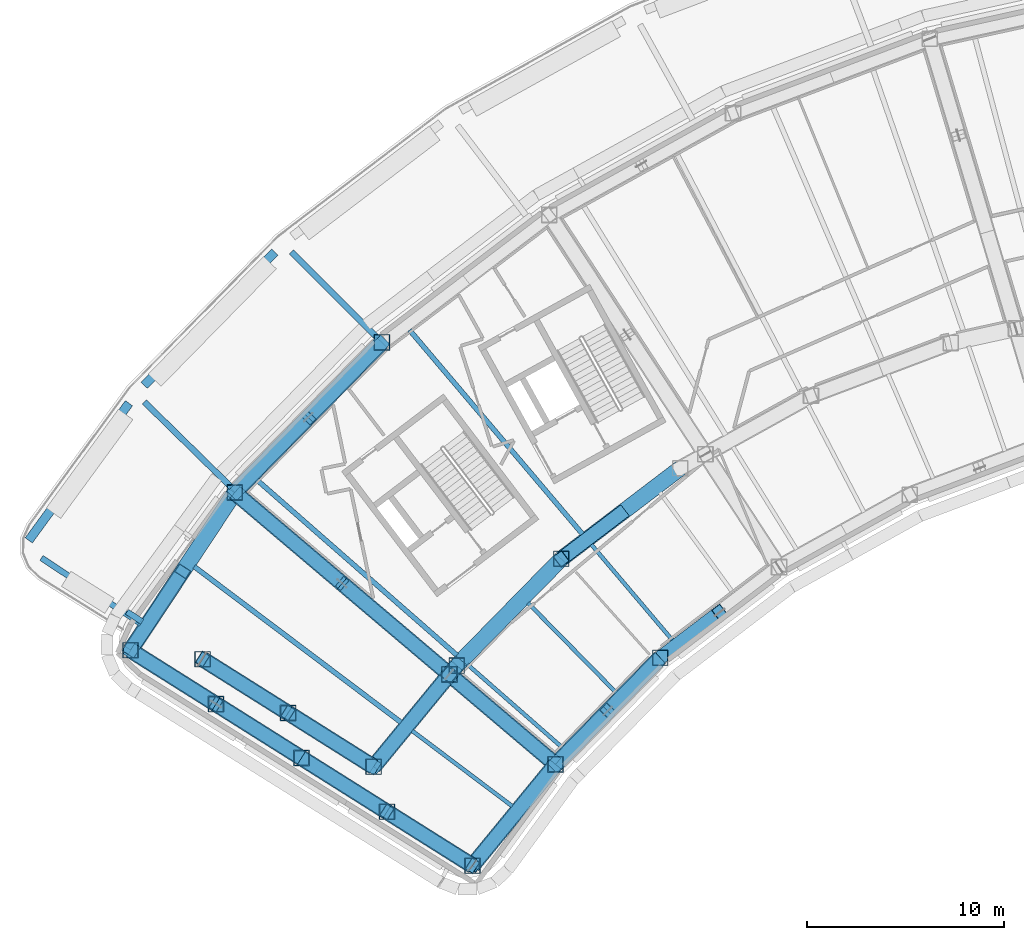
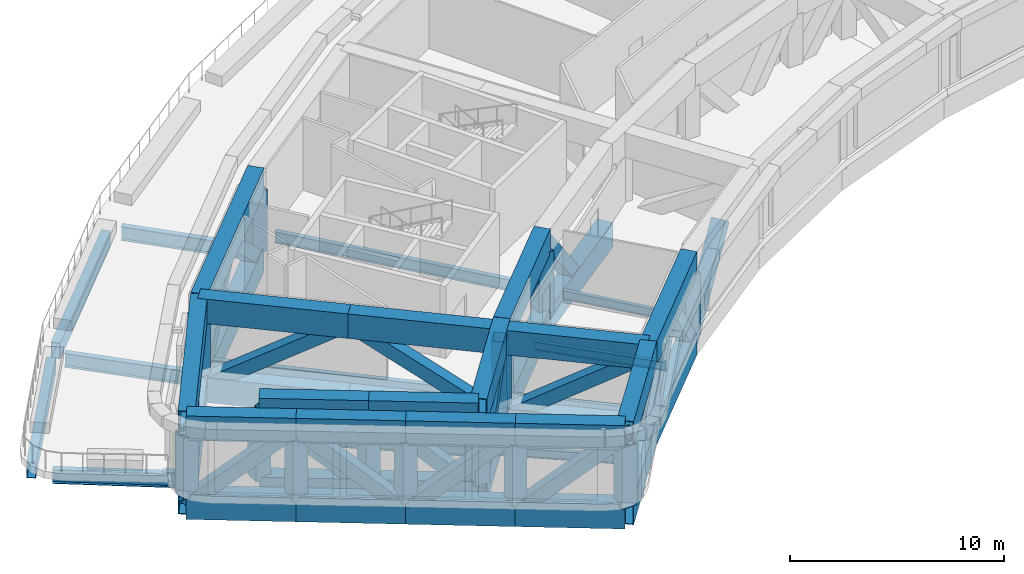
# One storey, part 1 of 24: 44 beams, 34 members.
"""IFC4 building model written with IfcOpenShell, lengths in metres."""

from ifc_helpers import new_model, si_unit, direction, frame, origin, origin_2d, place, context, subcontext, project, spatial, hollow_rectangle, i_section, extrude, material, material_profile, profile_set, type_object, element, save


model = new_model("IFC4")

# Units and contexts
model_context = context("Model", 3, precision=1e-05, world=origin(), true_north=direction((0.0, 1.0)))
body_context = subcontext(model_context, "Body", "Model", "MODEL_VIEW")
ifc_project = project(units=[si_unit("LENGTHUNIT", "METRE"), si_unit("AREAUNIT", "SQUARE_METRE"), si_unit("VOLUMEUNIT", "CUBIC_METRE"), si_unit("PLANEANGLEUNIT", "RADIAN"), si_unit("MASSUNIT", "GRAM", prefix="KILO")], contexts=[model_context])

# Site, building, storey
site_placement = place(None, origin())
site = spatial("IfcSite", under=ifc_project, at=site_placement, CompositionType="ELEMENT")
building_placement = place(site_placement, origin())
building = spatial("IfcBuilding", under=site, at=building_placement, Name="Tuul Gate Civic Tower", CompositionType="ELEMENT")
storey_placement = place(building_placement, frame((0.0, 0.0, 94.800048828125)))
storey = spatial("IfcBuildingStorey", under=building, at=storey_placement, Name="Plant and refuge floor 3", CompositionType="ELEMENT", Elevation=94.800048828125)

# Beams
ifc_material_1 = material(Name="Steel S355", Category="steel")
ifc_material_profile_1 = material_profile(ifc_material_1, i_section(OverallWidth=0.199951171875, OverallDepth=0.5, WebThickness=0.010009765625, FlangeThickness=0.01611328125, at=origin_2d()), Name="PG500x200x10x16")
ifc_profile_set_1 = profile_set([ifc_material_profile_1], Name="Steel S355")
beam_type_1 = type_object("IfcBeamType", Name="STR-FLOOR BEAM-PG500x200x10x16", PredefinedType="BEAM", material=ifc_profile_set_1)
beam_1_placement = place(storey_placement, frame((-24.3291015625, -19.913330078125, -0.650146484375), z_axis=(-0.646588881075, 0.762838658479, 0.0), x_axis=(-0.762838658479, -0.646588881075, 0.0)))
element("IfcBeam", 1, at=beam_1_placement, inside=storey, type_object=beam_type_1, Name="Floor beam", PredefinedType="BEAM", context=body_context, shape_type="SweptSolid", body=[
    extrude(i_section(OverallWidth=0.199951171875, OverallDepth=0.5, WebThickness=0.010009765625, FlangeThickness=0.01611328125, at=origin_2d()), origin(), (0.0, 0.0, 1.0), 6.344482421875),
])
beam_2_placement = place(storey_placement, frame((-27.1708984375, -22.5947265625, -0.650146484375), z_axis=(-0.701227534582, 0.712937546174, 0.0), x_axis=(-0.712937546174, -0.701227534582, 0.0)))
element("IfcBeam", 2, at=beam_2_placement, inside=storey, type_object=beam_type_1, Name="Floor beam", PredefinedType="BEAM", context=body_context, shape_type="SweptSolid", body=[
    extrude(i_section(OverallWidth=0.199951171875, OverallDepth=0.5, WebThickness=0.010009765625, FlangeThickness=0.01611328125, at=origin_2d()), origin(), (0.0, 0.0, 1.0), 6.400634765625),
])
beam_3_placement = place(storey_placement, frame((-29.90625, -25.38525390625, -0.650146484375), z_axis=(-0.752029031841, 0.659129983591, 0.0), x_axis=(-0.659129983591, -0.752029031841, 0.0)))
element("IfcBeam", 3, at=beam_3_placement, inside=storey, type_object=beam_type_1, Name="Floor beam", PredefinedType="BEAM", context=body_context, shape_type="SweptSolid", body=[
    extrude(i_section(OverallWidth=0.199951171875, OverallDepth=0.5, WebThickness=0.010009765625, FlangeThickness=0.01611328125, at=origin_2d()), origin(), (0.0, 0.0, 1.0), 6.40966796875),
])
beam_4_placement = place(storey_placement, frame((-32.447998046875, -28.362060546875, -0.650146484375), z_axis=(-0.798710656807, 0.601715287077, 0.0), x_axis=(-0.601715287077, -0.798710656807, 0.0)))
element("IfcBeam", 4, at=beam_4_placement, inside=storey, type_object=beam_type_1, Name="Floor beam", PredefinedType="BEAM", context=body_context, shape_type="SweptSolid", body=[
    extrude(i_section(OverallWidth=0.199951171875, OverallDepth=0.5, WebThickness=0.010009765625, FlangeThickness=0.01611328125, at=origin_2d()), origin(), (0.0, 0.0, 1.0), 6.371337890625),
])
ifc_material_2 = material(Name="Steel S355", Category="steel")
ifc_material_profile_2 = material_profile(ifc_material_2, i_section(OverallWidth=0.25, OverallDepth=0.64990234375, WebThickness=0.011962890625, FlangeThickness=0.02001953125, at=origin_2d()), Name="PG650x250x12x20")
ifc_profile_set_2 = profile_set([ifc_material_profile_2], Name="Steel S355")
beam_type_2 = type_object("IfcBeamType", Name="STR-FLOOR BEAM-PG650x250x12x20", PredefinedType="BEAM", material=ifc_profile_set_2)
beam_5_placement = place(storey_placement, frame((-28.884521484375, -14.538818359375, -0.72509765625), z_axis=(-0.6465881799, 0.762839252801, 0.0), x_axis=(-0.762839252801, -0.6465881799, 0.0)))
element("IfcBeam", 5, at=beam_5_placement, inside=storey, type_object=beam_type_2, Name="Floor beam", PredefinedType="BEAM", context=body_context, shape_type="SweptSolid", body=[
    extrude(i_section(OverallWidth=0.25, OverallDepth=0.64990234375, WebThickness=0.011962890625, FlangeThickness=0.02001953125, at=origin_2d()), origin(), (0.0, 0.0, 1.0), 13.58349609375),
])
beam_6_placement = place(storey_placement, frame((-35.253662109375, -20.698486328125, -0.72509765625), z_axis=(-0.752027259917, 0.659132005247, 0.0), x_axis=(-0.659132005247, -0.752027259917, 0.0)))
element("IfcBeam", 6, at=beam_6_placement, inside=storey, type_object=beam_type_2, Name="Floor beam", PredefinedType="BEAM", context=body_context, shape_type="SweptSolid", body=[
    extrude(i_section(OverallWidth=0.25, OverallDepth=0.64990234375, WebThickness=0.011962890625, FlangeThickness=0.02001953125, at=origin_2d()), origin(), (0.0, 0.0, 1.0), 13.521728515625),
])
beam_7_placement = place(storey_placement, frame((-38.096435546875, -24.106689453125, -0.72509765625), z_axis=(-0.798711555824, 0.60171409373, 0.0), x_axis=(-0.60171409373, -0.798711555824, 0.0)))
element("IfcBeam", 7, at=beam_7_placement, inside=storey, type_object=beam_type_2, Name="Floor beam", PredefinedType="BEAM", context=body_context, shape_type="SweptSolid", body=[
    extrude(i_section(OverallWidth=0.25, OverallDepth=0.64990234375, WebThickness=0.011962890625, FlangeThickness=0.02001953125, at=origin_2d()), origin(), (0.0, 0.0, 1.0), 13.161376953125),
])
ifc_material_3 = material(Name="Steel S355", Category="steel")
ifc_material_profile_3 = material_profile(ifc_material_3, i_section(OverallWidth=0.300048828125, OverallDepth=0.800048828125, WebThickness=0.013916015625, FlangeThickness=0.02490234375, at=origin_2d()), Name="PG800x300x14x25")
ifc_profile_set_3 = profile_set([ifc_material_profile_3], Name="Steel S355")
beam_type_3 = type_object("IfcBeamType", Name="STR-FLOOR BEAM-PG800x300x14x25", PredefinedType="BEAM", material=ifc_profile_set_3)
beam_8_placement = place(storey_placement, frame((-43.664794921875, -0.208251953125, -0.800048828125), z_axis=(0.707106781187, -0.707106781187, 0.0), x_axis=(0.707106781187, 0.707106781187, 0.0)))
element("IfcBeam", 8, at=beam_8_placement, inside=storey, type_object=beam_type_3, Name="Terrace beam", PredefinedType="BEAM", context=body_context, shape_type="SweptSolid", body=[
    extrude(i_section(OverallWidth=0.300048828125, OverallDepth=0.800048828125, WebThickness=0.013916015625, FlangeThickness=0.02490234375, at=origin_2d()), origin(), (0.0, 0.0, 1.0), 6.19921875),
])
beam_9_placement = place(storey_placement, frame((-51.135498046875, -7.8291015625, -0.800048828125), z_axis=(0.714159684679, -0.699982817489, 0.0), x_axis=(0.699982817489, 0.714159684679, 0.0)))
element("IfcBeam", 9, at=beam_9_placement, inside=storey, type_object=beam_type_3, Name="Terrace beam", PredefinedType="BEAM", context=body_context, shape_type="SweptSolid", body=[
    extrude(i_section(OverallWidth=0.300048828125, OverallDepth=0.800048828125, WebThickness=0.013916015625, FlangeThickness=0.02490234375, at=origin_2d()), origin(), (0.0, 0.0, 1.0), 6.199462890625),
])
beam_10_placement = place(storey_placement, frame((-56.362548828125, -15.751953125, -0.800048828125), z_axis=(0.834115460884, -0.55158988199, 0.0), x_axis=(0.55158988199, 0.834115460884, 0.0)))
element("IfcBeam", 10, at=beam_10_placement, inside=storey, type_object=beam_type_3, Name="Terrace beam", PredefinedType="BEAM", context=body_context, shape_type="SweptSolid", body=[
    extrude(i_section(OverallWidth=0.300048828125, OverallDepth=0.800048828125, WebThickness=0.013916015625, FlangeThickness=0.02490234375, at=origin_2d()), origin(), (0.0, 0.0, 1.0), 6.0576171875),
])
beam_11_placement = place(storey_placement, frame((-52.01953125, -18.487060546875, -0.800048828125), z_axis=(0.834112308849, -0.551594648475, 0.0), x_axis=(0.551594648475, 0.834112308849, 0.0)))
element("IfcBeam", 11, at=beam_11_placement, inside=storey, type_object=beam_type_3, Name="Terrace beam", PredefinedType="BEAM", context=body_context, shape_type="SweptSolid", body=[
    extrude(i_section(OverallWidth=0.300048828125, OverallDepth=0.800048828125, WebThickness=0.013916015625, FlangeThickness=0.02490234375, at=origin_2d()), origin(), (0.0, 0.0, 1.0), 0.92626953125),
])
ifc_material_4 = material(Name="Steel S355", Category="steel")
ifc_material_profile_4 = material_profile(ifc_material_4, hollow_rectangle(XDim=0.449951171875, YDim=0.89990234375, WallThickness=0.02490234375, at=origin_2d()), Name="BOX900x450x25")
ifc_profile_set_4 = profile_set([ifc_material_profile_4], Name="Steel S355")
beam_type_4 = type_object("IfcBeamType", Name="STR-SPANDREL BEAM-BOX900x450x25", PredefinedType="BEAM", material=ifc_profile_set_4)
beam_12_placement = place(storey_placement, frame((-44.509033203125, -0.21240234375, -0.85009765625), z_axis=(-0.700052610293, -0.714091270653, 0.0), x_axis=(0.714091270653, -0.700052610293, 0.0)))
element("IfcBeam", 12, at=beam_12_placement, inside=storey, type_object=beam_type_4, Name="Terrace edge beam", PredefinedType="BEAM", context=body_context, shape_type="SweptSolid", body=[
    extrude(hollow_rectangle(XDim=0.449951171875, YDim=0.89990234375, WallThickness=0.02490234375, at=origin_2d()), origin(), (0.0, 0.0, 1.0), 9.477783203125),
])
beam_13_placement = place(storey_placement, frame((-51.91796875, -7.8935546875, -0.85009765625), z_axis=(-0.589810837434, -0.807541439212, 0.0), x_axis=(0.807541439212, -0.589810837434, 0.0)))
element("IfcBeam", 13, at=beam_13_placement, inside=storey, type_object=beam_type_4, Name="Terrace edge beam", PredefinedType="BEAM", context=body_context, shape_type="SweptSolid", body=[
    extrude(hollow_rectangle(XDim=0.449951171875, YDim=0.89990234375, WallThickness=0.02490234375, at=origin_2d()), origin(), (0.0, 0.0, 1.0), 8.62841796875),
])
ifc_material_5 = material(Name="Steel S460", Category="steel")
ifc_material_profile_5 = material_profile(ifc_material_5, hollow_rectangle(XDim=0.800048828125, YDim=1.39990234375, WallThickness=0.0400390625, at=origin_2d()), Name="BOX1400x800x40")
ifc_profile_set_5 = profile_set([ifc_material_profile_5], Name="Steel S460")
beam_type_5 = type_object("IfcBeamType", Name="STR-TRANSFER TRUSS CHORD-BOX1400x800x40", PredefinedType="BEAM", material=ifc_profile_set_5)
beam_14_placement = place(storey_placement, frame((-46.54296875, -12.428955078125, -1.10009765625), z_axis=(0.762822181362, -0.6466083201, 0.0), x_axis=(0.6466083201, 0.762822181362, 0.0)))
element("IfcBeam", 14, at=beam_14_placement, inside=storey, type_object=beam_type_5, Name="Radial truss bottom chord", PredefinedType="BEAM", context=body_context, shape_type="SweptSolid", body=[
    extrude(hollow_rectangle(XDim=0.800048828125, YDim=1.39990234375, WallThickness=0.0400390625, at=origin_2d()), origin(), (0.0, 0.0, 1.0), 7.144775390625),
])
beam_15_placement = place(storey_placement, frame((-41.0927734375, -17.048828125, -1.10009765625), z_axis=(0.762814796692, -0.646617031904, 0.0), x_axis=(0.646617031904, 0.762814796692, 0.0)))
element("IfcBeam", 15, at=beam_15_placement, inside=storey, type_object=beam_type_5, Name="Radial truss bottom chord", PredefinedType="BEAM", context=body_context, shape_type="SweptSolid", body=[
    extrude(hollow_rectangle(XDim=0.800048828125, YDim=1.39990234375, WallThickness=0.0400390625, at=origin_2d()), origin(), (0.0, 0.0, 1.0), 6.744384765625),
])
beam_16_placement = place(storey_placement, frame((-35.337646484375, -21.92724609375, -1.10009765625), z_axis=(0.762830389776, -0.646598636276, 0.0), x_axis=(0.646598636276, 0.762830389776, 0.0)))
element("IfcBeam", 16, at=beam_16_placement, inside=storey, type_object=beam_type_5, Name="Radial truss bottom chord", PredefinedType="BEAM", context=body_context, shape_type="SweptSolid", body=[
    extrude(hollow_rectangle(XDim=0.800048828125, YDim=1.39990234375, WallThickness=0.0400390625, at=origin_2d()), origin(), (0.0, 0.0, 1.0), 6.6669921875),
])
beam_17_placement = place(storey_placement, frame((-46.54296875, -12.428955078125, 3.39990234375), z_axis=(0.762822181362, -0.6466083201, 0.0), x_axis=(0.6466083201, 0.762822181362, 0.0)))
element("IfcBeam", 17, at=beam_17_placement, inside=storey, type_object=beam_type_5, Name="Radial truss top chord", PredefinedType="BEAM", context=body_context, shape_type="SweptSolid", body=[
    extrude(hollow_rectangle(XDim=0.800048828125, YDim=1.39990234375, WallThickness=0.0400390625, at=origin_2d()), origin(), (0.0, 0.0, 1.0), 7.144775390625),
])
beam_18_placement = place(storey_placement, frame((-41.0927734375, -17.048828125, 3.39990234375), z_axis=(0.762814796692, -0.646617031904, 0.0), x_axis=(0.646617031904, 0.762814796692, 0.0)))
element("IfcBeam", 18, at=beam_18_placement, inside=storey, type_object=beam_type_5, Name="Radial truss top chord", PredefinedType="BEAM", context=body_context, shape_type="SweptSolid", body=[
    extrude(hollow_rectangle(XDim=0.800048828125, YDim=1.39990234375, WallThickness=0.0400390625, at=origin_2d()), origin(), (0.0, 0.0, 1.0), 6.744384765625),
])
beam_19_placement = place(storey_placement, frame((-35.337646484375, -21.92724609375, 3.39990234375), z_axis=(0.762830389776, -0.646598636276, 0.0), x_axis=(0.646598636276, 0.762830389776, 0.0)))
element("IfcBeam", 19, at=beam_19_placement, inside=storey, type_object=beam_type_5, Name="Radial truss top chord", PredefinedType="BEAM", context=body_context, shape_type="SweptSolid", body=[
    extrude(hollow_rectangle(XDim=0.800048828125, YDim=1.39990234375, WallThickness=0.0400390625, at=origin_2d()), origin(), (0.0, 0.0, 1.0), 6.6669921875),
])
for number, where, z_axis, x_axis, name in (
    (20, (-39.069091796875, -4.803955078125, -1.10009765625), (-0.699994363812, -0.71414836738, 0.0), (0.71414836738, -0.699994363812, 0.0), "Belt truss bottom chord"),
    (21, (-39.069091796875, -4.803955078125, 3.39990234375), (-0.699994363812, -0.71414836738, 0.0), (0.71414836738, -0.699994363812, 0.0), "Belt truss top chord"),
):
    element("IfcBeam", number, at=place(storey_placement, frame(where, z_axis=z_axis, x_axis=x_axis)), inside=storey, type_object=beam_type_5, Name=name, PredefinedType="BEAM", context=body_context, shape_type="SweptSolid", body=[
        extrude(hollow_rectangle(XDim=0.800048828125, YDim=1.39990234375, WallThickness=0.0400390625, at=origin_2d()), origin(), (0.0, 0.0, 1.0), 10.677001953125),
    ])
for number, where, z_axis, x_axis, name in (
    (22, (-46.54296875, -12.428955078125, -1.10009765625), (-0.551605665118, -0.834105023489, 0.0), (0.834105023489, -0.551605665118, 0.0), "Belt truss bottom chord"),
    (23, (-46.54296875, -12.428955078125, 3.39990234375), (-0.551605665118, -0.834105023489, 0.0), (0.834105023489, -0.551605665118, 0.0), "Belt truss top chord"),
):
    element("IfcBeam", number, at=place(storey_placement, frame(where, z_axis=z_axis, x_axis=x_axis)), inside=storey, type_object=beam_type_5, Name=name, PredefinedType="BEAM", context=body_context, shape_type="SweptSolid", body=[
        extrude(hollow_rectangle(XDim=0.800048828125, YDim=1.39990234375, WallThickness=0.0400390625, at=origin_2d()), origin(), (0.0, 0.0, 1.0), 9.606689453125),
    ])
for number, where, z_axis, x_axis, name in (
    (24, (-35.27294921875, -21.218017578125, -1.10009765625), (0.700013541041, 0.714129569728, 0.0), (-0.714129569728, 0.700013541041, 0.0), "Belt truss bottom chord"),
    (25, (-35.27294921875, -21.218017578125, 3.39990234375), (0.700013541041, 0.714129569728, 0.0), (-0.714129569728, 0.700013541041, 0.0), "Belt truss top chord"),
):
    element("IfcBeam", number, at=place(storey_placement, frame(where, z_axis=z_axis, x_axis=x_axis)), inside=storey, type_object=beam_type_5, Name=name, PredefinedType="BEAM", context=body_context, shape_type="SweptSolid", body=[
        extrude(hollow_rectangle(XDim=0.800048828125, YDim=1.39990234375, WallThickness=0.0400390625, at=origin_2d()), origin(), (0.0, 0.0, 1.0), 7.592529296875),
    ])
beam_20_placement = place(storey_placement, frame((-29.9580078125, -15.7958984375, -1.10009765625), z_axis=(0.795625835802, 0.605788353638, 0.0), x_axis=(-0.605788353638, 0.795625835802, 0.0)))
element("IfcBeam", 26, at=beam_20_placement, inside=storey, type_object=beam_type_5, Name="Belt truss bottom chord", PredefinedType="BEAM", context=body_context, shape_type="SweptSolid", body=[
    extrude(hollow_rectangle(XDim=0.800048828125, YDim=1.39990234375, WallThickness=0.0400390625, at=origin_2d()), origin(), (0.0, 0.0, 1.0), 7.591552734375),
])
for number, where, z_axis, x_axis, name in (
    (27, (-30.251953125, -26.238037109375, -1.10009765625), (0.700012244229, 0.714130840903, 0.0), (-0.714130840903, 0.700012244229, 0.0), "Belt truss bottom chord"),
    (28, (-30.251953125, -26.238037109375, 3.39990234375), (0.700012244229, 0.714130840903, 0.0), (-0.714130840903, 0.700012244229, 0.0), "Belt truss top chord"),
):
    element("IfcBeam", number, at=place(storey_placement, frame(where, z_axis=z_axis, x_axis=x_axis)), inside=storey, type_object=beam_type_5, Name=name, PredefinedType="BEAM", context=body_context, shape_type="SweptSolid", body=[
        extrude(hollow_rectangle(XDim=0.800048828125, YDim=1.39990234375, WallThickness=0.0400390625, at=origin_2d()), origin(), (0.0, 0.0, 1.0), 7.59130859375),
    ])
for number, where, z_axis, x_axis, name in (
    (29, (-34.471923828125, -31.3798828125, -1.10009765625), (0.634408284955, 0.772998142288, 0.0), (-0.772998142288, 0.634408284955, 0.0), "Belt truss bottom chord"),
    (30, (-34.471923828125, -31.3798828125, 3.39990234375), (0.634408284955, 0.772998142288, 0.0), (-0.772998142288, 0.634408284955, 0.0), "Belt truss top chord"),
):
    element("IfcBeam", number, at=place(storey_placement, frame(where, z_axis=z_axis, x_axis=x_axis)), inside=storey, type_object=beam_type_5, Name=name, PredefinedType="BEAM", context=body_context, shape_type="SweptSolid", body=[
        extrude(hollow_rectangle(XDim=0.800048828125, YDim=1.39990234375, WallThickness=0.0400390625, at=origin_2d()), origin(), (0.0, 0.0, 1.0), 6.65185546875),
    ])
for number, where, z_axis, x_axis, name in (
    (31, (-39.492919921875, -26.360107421875, -1.10009765625), (0.634390286361, 0.773012913586, 0.0), (-0.773012913586, 0.634390286361, 0.0), "Belt truss bottom chord"),
    (32, (-39.492919921875, -26.360107421875, 3.39990234375), (0.634390286361, 0.773012913586, 0.0), (-0.773012913586, 0.634390286361, 0.0), "Belt truss top chord"),
):
    element("IfcBeam", number, at=place(storey_placement, frame(where, z_axis=z_axis, x_axis=x_axis)), inside=storey, type_object=beam_type_5, Name=name, PredefinedType="BEAM", context=body_context, shape_type="SweptSolid", body=[
        extrude(hollow_rectangle(XDim=0.800048828125, YDim=1.39990234375, WallThickness=0.0400390625, at=origin_2d()), origin(), (0.0, 0.0, 1.0), 6.652099609375),
    ])
for number, where, z_axis, x_axis, name in (
    (33, (-47.5, -23.176025390625, -1.10009765625), (0.846200269344, -0.532864996188, 0.0), (0.532864996188, 0.846200269344, 0.0), "Belt truss bottom chord"),
    (34, (-47.5, -23.176025390625, 3.39990234375), (0.846200269344, -0.532864996188, 0.0), (0.532864996188, 0.846200269344, 0.0), "Belt truss top chord"),
):
    element("IfcBeam", number, at=place(storey_placement, frame(where, z_axis=z_axis, x_axis=x_axis)), inside=storey, type_object=beam_type_5, Name=name, PredefinedType="BEAM", context=body_context, shape_type="SweptSolid", body=[
        extrude(hollow_rectangle(XDim=0.800048828125, YDim=1.39990234375, WallThickness=0.0400390625, at=origin_2d()), origin(), (0.0, 0.0, 1.0), 5.13232421875),
    ])
for number, where, z_axis, x_axis, name in (
    (35, (-48.177978515625, -20.89111328125, -1.10009765625), (0.846286064045, -0.532728728156, 0.0), (0.532728728156, 0.846286064045, 0.0), "Belt truss bottom chord"),
    (36, (-48.177978515625, -20.89111328125, 3.39990234375), (0.846286064045, -0.532728728156, 0.0), (0.532728728156, 0.846286064045, 0.0), "Belt truss top chord"),
    (37, (-38.81494140625, -28.64599609375, -1.10009765625), (0.846286064045, -0.532728728156, 0.0), (0.532728728156, 0.846286064045, 0.0), "Belt truss bottom chord"),
    (38, (-38.81494140625, -28.64599609375, 3.39990234375), (0.846286064045, -0.532728728156, 0.0), (0.532728728156, 0.846286064045, 0.0), "Belt truss top chord"),
):
    element("IfcBeam", number, at=place(storey_placement, frame(where, z_axis=z_axis, x_axis=x_axis)), inside=storey, type_object=beam_type_5, Name=name, PredefinedType="BEAM", context=body_context, shape_type="SweptSolid", body=[
        extrude(hollow_rectangle(XDim=0.800048828125, YDim=1.39990234375, WallThickness=0.0400390625, at=origin_2d()), origin(), (0.0, 0.0, 1.0), 5.1318359375),
    ])
for number, where, z_axis, x_axis, name in (
    (39, (-43.156982421875, -25.910888671875, -1.10009765625), (0.846124773729, -0.532984865903, 0.0), (0.532984865903, 0.846124773729, 0.0), "Belt truss bottom chord"),
    (40, (-43.156982421875, -25.910888671875, 3.39990234375), (0.846124773729, -0.532984865903, 0.0), (0.532984865903, 0.846124773729, 0.0), "Belt truss top chord"),
    (41, (-43.8349609375, -23.625, -1.10009765625), (0.846124773729, -0.532984865903, 0.0), (0.532984865903, 0.846124773729, 0.0), "Belt truss bottom chord"),
    (42, (-43.8349609375, -23.625, 3.39990234375), (0.846124773729, -0.532984865903, 0.0), (0.532984865903, 0.846124773729, 0.0), "Belt truss top chord"),
):
    element("IfcBeam", number, at=place(storey_placement, frame(where, z_axis=z_axis, x_axis=x_axis)), inside=storey, type_object=beam_type_5, Name=name, PredefinedType="BEAM", context=body_context, shape_type="SweptSolid", body=[
        extrude(hollow_rectangle(XDim=0.800048828125, YDim=1.39990234375, WallThickness=0.0400390625, at=origin_2d()), origin(), (0.0, 0.0, 1.0), 5.131591796875),
    ])
for number, where, z_axis, x_axis, name in (
    (43, (-51.842041015625, -20.44189453125, -1.10009765625), (0.846210591722, -0.532848603694, 0.0), (0.532848603694, 0.846210591722, 0.0), "Belt truss bottom chord"),
    (44, (-51.842041015625, -20.44189453125, 3.39990234375), (0.846210591722, -0.532848603694, 0.0), (0.532848603694, 0.846210591722, 0.0), "Belt truss top chord"),
):
    element("IfcBeam", number, at=place(storey_placement, frame(where, z_axis=z_axis, x_axis=x_axis)), inside=storey, type_object=beam_type_5, Name=name, PredefinedType="BEAM", context=body_context, shape_type="SweptSolid", body=[
        extrude(hollow_rectangle(XDim=0.800048828125, YDim=1.39990234375, WallThickness=0.0400390625, at=origin_2d()), origin(), (0.0, 0.0, 1.0), 5.131103515625),
    ])

# Members
ifc_material_6 = material(Name="Steel S355", Category="steel")
ifc_material_profile_6 = material_profile(ifc_material_6, hollow_rectangle(XDim=0.699951171875, YDim=0.699951171875, WallThickness=0.031982421875, at=origin_2d()), Name="BOX700x700x32")
ifc_profile_set_6 = profile_set([ifc_material_profile_6], Name="Steel S355")
member_type_1 = type_object("IfcMemberType", Name="STR-TRANSFER TRUSS DIAGONAL-BOX700x700x32", PredefinedType="BRACE", material=ifc_profile_set_6)
for number, where, z_axis, x_axis, name in (
    (45, (-46.546142578125, -12.42626953125, -1.102783203125), (0.64546178765, -0.547126334095, 0.532946390572), (0.646607546101, 0.762822837443, 0.0), "Radial truss web"),
    (46, (-35.6396484375, -21.67138671875, -1.102783203125), (-0.64546178765, 0.547126334095, 0.532946390572), (-0.646607546101, -0.762822837443, 0.0), "Radial truss web"),
):
    element("IfcMember", number, at=place(storey_placement, frame(where, z_axis=z_axis, x_axis=x_axis)), inside=storey, type_object=member_type_1, Name=name, PredefinedType="BRACE", context=body_context, shape_type="SweptSolid", body=[
        extrude(hollow_rectangle(XDim=0.699951171875, YDim=0.699951171875, WallThickness=0.031982421875, at=origin_2d()), origin(), (0.0, 0.0, 1.0), 8.45361328125),
    ])
member_1_placement = place(storey_placement, frame((-35.64599609375, -21.665771484375, -1.102783203125), z_axis=(0.643445235484, -0.545416396062, 0.537121200327), x_axis=(0.646607128351, 0.76282319155, 0.0)))
element("IfcMember", 47, at=member_1_placement, inside=storey, type_object=member_type_1, Name="Radial truss web", PredefinedType="BRACE", context=body_context, shape_type="SweptSolid", body=[
    extrude(hollow_rectangle(XDim=0.699951171875, YDim=0.699951171875, WallThickness=0.031982421875, at=origin_2d()), origin(), (0.0, 0.0, 1.0), 8.387939453125),
])
member_2_placement = place(storey_placement, frame((-39.06640625, -4.80126953125, -1.103271484375), z_axis=(-0.535214195208, -0.546038595033, 0.64450571602), x_axis=(0.714149827828, -0.69999287383, 0.0)))
element("IfcMember", 48, at=member_2_placement, inside=storey, type_object=member_type_1, Name="Belt truss web", PredefinedType="BRACE", context=body_context, shape_type="SweptSolid", body=[
    extrude(hollow_rectangle(XDim=0.699951171875, YDim=0.699951171875, WallThickness=0.031982421875, at=origin_2d()), origin(), (0.0, 0.0, 1.0), 6.991943359375),
])
member_3_placement = place(storey_placement, frame((-46.545654296875, -12.431640625, -1.103271484375), z_axis=(0.535239109686, 0.546028390454, 0.64449367125), x_axis=(-0.714126998958, 0.700016163642, 0.0)))
element("IfcMember", 49, at=member_3_placement, inside=storey, type_object=member_type_1, Name="Belt truss web", PredefinedType="BRACE", context=body_context, shape_type="SweptSolid", body=[
    extrude(hollow_rectangle(XDim=0.699951171875, YDim=0.699951171875, WallThickness=0.031982421875, at=origin_2d()), origin(), (0.0, 0.0, 1.0), 6.9921875),
])
member_4_placement = place(storey_placement, frame((-51.843994140625, -20.445068359375, -1.103515625), z_axis=(0.402542066757, 0.608720343106, 0.683680794216), x_axis=(-0.834113511354, 0.551592830063, 0.0)))
element("IfcMember", 50, at=member_4_placement, inside=storey, type_object=member_type_1, Name="Belt truss web", PredefinedType="BRACE", context=body_context, shape_type="SweptSolid", body=[
    extrude(hollow_rectangle(XDim=0.699951171875, YDim=0.699951171875, WallThickness=0.031982421875, at=origin_2d()), origin(), (0.0, 0.0, 1.0), 6.592041015625),
])
for number, where, z_axis, x_axis, name in (
    (51, (-24.940673828125, -20.81884765625, -1.103759765625), (0.51299820696, 0.390575827977, 0.764384302728), (-0.605768462047, 0.795640980838, 0.0), "Belt truss web"),
    (52, (-26.935546875, -13.49462890625, -1.103759765625), (-0.512967700466, -0.390584123179, 0.764400537022), (0.605799411313, -0.795617416384, 0.0), "Belt truss web"),
):
    element("IfcMember", number, at=place(storey_placement, frame(where, z_axis=z_axis, x_axis=x_axis)), inside=storey, type_object=member_type_1, Name=name, PredefinedType="BRACE", context=body_context, shape_type="SweptSolid", body=[
        extrude(hollow_rectangle(XDim=0.699951171875, YDim=0.699951171875, WallThickness=0.031982421875, at=origin_2d()), origin(), (0.0, 0.0, 1.0), 5.89697265625),
    ])
for number, where, z_axis, x_axis, name in (
    (53, (-30.254150390625, -26.240234375, -1.103759765625), (0.451322045201, 0.460430461855, 0.764403166733), (-0.714135150433, 0.700007847754, 0.0), "Belt truss web"),
    (54, (-24.935791015625, -20.814697265625, -1.103759765625), (-0.451322045201, -0.460430461855, 0.764403166733), (0.714135150433, -0.700007847754, 0.0), "Belt truss web"),
):
    element("IfcMember", number, at=place(storey_placement, frame(where, z_axis=z_axis, x_axis=x_axis)), inside=storey, type_object=member_type_1, Name=name, PredefinedType="BRACE", context=body_context, shape_type="SweptSolid", body=[
        extrude(hollow_rectangle(XDim=0.699951171875, YDim=0.699951171875, WallThickness=0.031982421875, at=origin_2d()), origin(), (0.0, 0.0, 1.0), 5.896728515625),
    ])
member_5_placement = place(storey_placement, frame((-30.249267578125, -26.23486328125, -1.102783203125), z_axis=(-0.525463250337, -0.640259376154, 0.560318038075), x_axis=(0.773001004128, -0.634404797915, 0.0)))
element("IfcMember", 55, at=member_5_placement, inside=storey, type_object=member_type_1, Name="Belt truss web", PredefinedType="BRACE", context=body_context, shape_type="SweptSolid", body=[
    extrude(hollow_rectangle(XDim=0.699951171875, YDim=0.699951171875, WallThickness=0.031982421875, at=origin_2d()), origin(), (0.0, 0.0, 1.0), 8.041259765625),
])
member_6_placement = place(storey_placement, frame((-39.49560546875, -26.363037109375, -1.10302734375), z_axis=(0.509624284891, 0.620927106483, 0.595594339029), x_axis=(-0.772984459569, 0.63442495637, 0.0)))
element("IfcMember", 56, at=member_6_placement, inside=storey, type_object=member_type_1, Name="Belt truss web", PredefinedType="BRACE", context=body_context, shape_type="SweptSolid", body=[
    extrude(hollow_rectangle(XDim=0.699951171875, YDim=0.699951171875, WallThickness=0.031982421875, at=origin_2d()), origin(), (0.0, 0.0, 1.0), 7.5654296875),
])
member_7_placement = place(storey_placement, frame((-35.272705078125, -21.217529296875, -1.10498046875), z_axis=(-0.081440133957, -0.09926355154, 0.991722870522), x_axis=(0.773099656198, -0.634284574609, 0.0)))
element("IfcMember", 57, at=member_7_placement, inside=storey, type_object=member_type_1, Name="Belt truss web", PredefinedType="BRACE", context=body_context, shape_type="SweptSolid", body=[
    extrude(hollow_rectangle(XDim=0.699951171875, YDim=0.699951171875, WallThickness=0.031982421875, at=origin_2d()), origin(), (0.0, 0.0, 1.0), 4.547607421875),
])
member_8_placement = place(storey_placement, frame((-43.15380859375, -25.9130859375, -1.103271484375), z_axis=(-0.636260198505, 0.400684993939, 0.659260567174), x_axis=(-0.532886335228, -0.846186831455, 0.0)))
element("IfcMember", 58, at=member_8_placement, inside=storey, type_object=member_type_1, Name="Belt truss web", PredefinedType="BRACE", context=body_context, shape_type="SweptSolid", body=[
    extrude(hollow_rectangle(XDim=0.699951171875, YDim=0.699951171875, WallThickness=0.031982421875, at=origin_2d()), origin(), (0.0, 0.0, 1.0), 6.8359375),
])
for number, where, z_axis, x_axis, name in (
    (59, (-43.831787109375, -23.626953125, -1.103271484375), (-0.63629661571, 0.400565060072, 0.659298300836), (-0.532750272584, -0.846272501657, 0.0), "Belt truss web"),
    (60, (-38.818115234375, -28.64404296875, -1.103271484375), (0.63629661571, -0.400565060072, 0.659298300836), (0.532750272584, 0.846272501657, 0.0), "Belt truss web"),
):
    element("IfcMember", number, at=place(storey_placement, frame(where, z_axis=z_axis, x_axis=x_axis)), inside=storey, type_object=member_type_1, Name=name, PredefinedType="BRACE", context=body_context, shape_type="SweptSolid", body=[
        extrude(hollow_rectangle(XDim=0.699951171875, YDim=0.699951171875, WallThickness=0.031982421875, at=origin_2d()), origin(), (0.0, 0.0, 1.0), 6.83544921875),
    ])
for number, where, z_axis, x_axis, name in (
    (61, (-43.16015625, -25.908935546875, -1.103271484375), (0.63617516084, -0.400721415387, 0.659320492614), (0.532972018739, 0.846132866187, 0.0), "Belt truss web"),
    (62, (-39.48974609375, -26.362060546875, -1.103271484375), (-0.63617516084, 0.400721415387, 0.659320492614), (-0.532972018739, -0.846132866187, 0.0), "Belt truss web"),
):
    element("IfcMember", number, at=place(storey_placement, frame(where, z_axis=z_axis, x_axis=x_axis)), inside=storey, type_object=member_type_1, Name=name, PredefinedType="BRACE", context=body_context, shape_type="SweptSolid", body=[
        extrude(hollow_rectangle(XDim=0.699951171875, YDim=0.699951171875, WallThickness=0.031982421875, at=origin_2d()), origin(), (0.0, 0.0, 1.0), 6.835205078125),
    ])
member_9_placement = place(storey_placement, frame((-51.84521484375, -20.43994140625, -1.103271484375), z_axis=(0.636211579798, -0.400601474787, 0.659358236567), x_axis=(0.532835951567, 0.846218558481, 0.0)))
element("IfcMember", 63, at=member_9_placement, inside=storey, type_object=member_type_1, Name="Belt truss web", PredefinedType="BRACE", context=body_context, shape_type="SweptSolid", body=[
    extrude(hollow_rectangle(XDim=0.699951171875, YDim=0.699951171875, WallThickness=0.031982421875, at=origin_2d()), origin(), (0.0, 0.0, 1.0), 6.834716796875),
])
ifc_material_7 = material(Name="Steel S355", Category="steel")
ifc_material_profile_7 = material_profile(ifc_material_7, hollow_rectangle(XDim=0.800048828125, YDim=0.800048828125, WallThickness=0.034912109375, at=origin_2d()), Name="BOX800x800x35")
ifc_profile_set_7 = profile_set([ifc_material_profile_7], Name="Steel S355")
member_type_2 = type_object("IfcMemberType", Name="STR-TRUSS POST-BOX800x800x35", PredefinedType="POST", material=ifc_profile_set_7)
for number, where, z_axis, x_axis, name in (
    (64, (-46.54296875, -12.428955078125, -0.594970703125), (0.0, 0.0, 1.0), (1.0, 0.0, 0.0), "Radial truss post"),
    (65, (-35.642822265625, -21.66845703125, -0.594970703125), (0.0, 0.0, 1.0), (1.0, 0.0, 0.0), "Radial truss post"),
    (66, (-30.251953125, -26.238037109375, -0.594970703125), (0.0, 0.0, 1.0), (1.0, 0.0, 0.0), "Radial truss post"),
    (67, (-39.069091796875, -4.803955078125, -0.594970703125), (0.0, 0.0, 1.0), (1.0, 0.0, 0.0), "Belt truss post"),
    (68, (-51.842041015625, -20.44189453125, -0.594970703125), (0.0, 0.0, 1.0), (1.0, 0.0, 0.0), "Belt truss post"),
    (69, (-35.27294921875, -21.218017578125, -0.594970703125), (0.0, 0.0, 1.0), (1.0, 0.0, 0.0), "Belt truss post"),
    (70, (-29.9580078125, -15.7958984375, -0.594970703125), (0.0, 0.0, 1.0), (1.0, 0.0, 0.0), "Belt truss post"),
    (71, (-24.93798828125, -20.81689453125, -0.594970703125), (0.0, 0.0, 1.0), (1.0, 0.0, 0.0), "Belt truss post"),
    (72, (-34.471923828125, -31.3798828125, -0.594970703125), (0.0, 0.0, 1.0), (1.0, 0.0, 0.0), "Belt truss post"),
    (73, (-39.492919921875, -26.360107421875, -0.594970703125), (0.0, 0.0, 1.0), (1.0, 0.0, 0.0), "Belt truss post"),
    (74, (-47.5, -23.176025390625, -0.594970703125), (0.0, 0.0, 1.0), (1.0, 0.0, 0.0), "Belt truss post"),
    (75, (-43.156982421875, -25.910888671875, -0.594970703125), (0.0, 0.0, 1.0), (1.0, 0.0, 0.0), "Belt truss post"),
    (76, (-48.177978515625, -20.89111328125, -0.594970703125), (0.0, 0.0, 1.0), (1.0, 0.0, 0.0), "Belt truss post"),
    (77, (-43.8349609375, -23.625, -0.594970703125), (0.0, 0.0, 1.0), (1.0, 0.0, 0.0), "Belt truss post"),
    (78, (-38.81494140625, -28.64599609375, -0.594970703125), (0.0, 0.0, 1.0), (1.0, 0.0, 0.0), "Belt truss post"),
):
    element("IfcMember", number, at=place(storey_placement, frame(where, z_axis=z_axis, x_axis=x_axis)), inside=storey, type_object=member_type_2, Name=name, PredefinedType="POST", context=body_context, shape_type="SweptSolid", body=[
        extrude(hollow_rectangle(XDim=0.800048828125, YDim=0.800048828125, WallThickness=0.034912109375, at=origin_2d()), origin(), (0.0, 0.0, 1.0), 3.489990234375),
    ])

save(model, "model.ifc")
